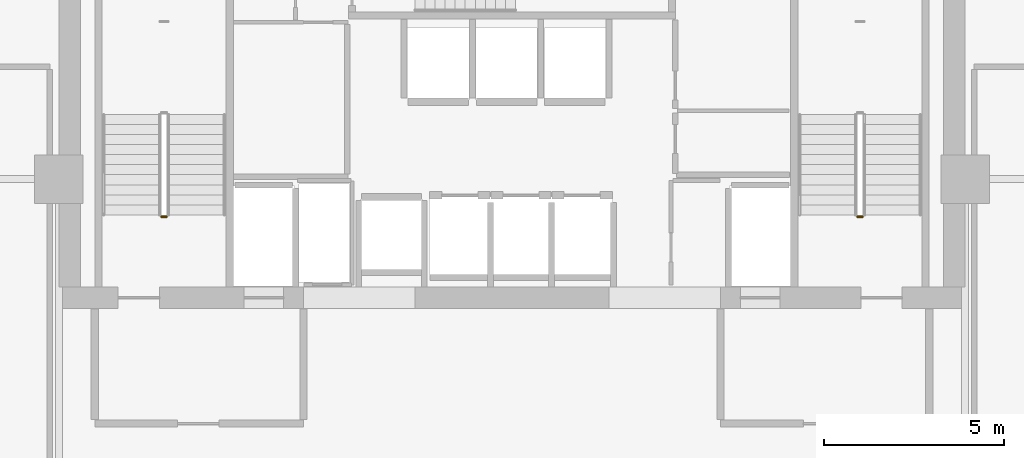
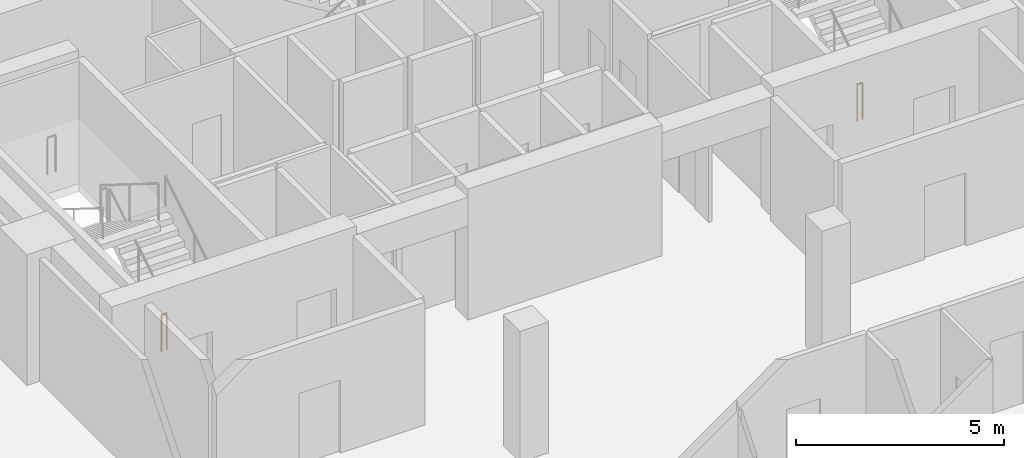
# One storey, part 22 of 24: 2 railings.
"""IFC4 building model written with IfcOpenShell, lengths in metres."""

from ifc_helpers import new_model, si_unit, direction, frame, origin, origin_2d, place, context, subcontext, project, spatial, circle, extrude, material, type_object, element, save


model = new_model("IFC4")

# Units and contexts
model_context = context("Model", 3, precision=1e-05, world=origin(), true_north=direction((0.0, 1.0)))
body_context = subcontext(model_context, "Body", "Model", "MODEL_VIEW")
ifc_project = project(units=[si_unit("LENGTHUNIT", "METRE"), si_unit("AREAUNIT", "SQUARE_METRE"), si_unit("VOLUMEUNIT", "CUBIC_METRE"), si_unit("PLANEANGLEUNIT", "RADIAN"), si_unit("MASSUNIT", "GRAM", prefix="KILO")], contexts=[model_context])

# Site, building, storey
site_placement = place(None, origin())
site = spatial("IfcSite", under=ifc_project, at=site_placement, CompositionType="ELEMENT")
building_placement = place(site_placement, origin())
building = spatial("IfcBuilding", under=site, at=building_placement, Name="Maruvema Waterfront Hotel and Observation Tower", CompositionType="ELEMENT")
storey_placement = place(building_placement, frame((0.0, 0.0, 333.550048828125)))
storey = spatial("IfcBuildingStorey", under=building, at=storey_placement, Name="L82", CompositionType="ELEMENT", Elevation=333.550048828125)

# Railings
ifc_material = material(Name="Brushed stainless steel Grade 316", Category="steel")
railing_type = type_object("IfcRailingType", Name="Ramp and Terrace Guard Balustrade 1100 mm", PredefinedType="BALUSTRADE", material=ifc_material)
railing_1_placement = place(storey_placement, frame((28.199951171875, 43.949951171875, 0.0)))
element("IfcRailing", 1, at=railing_1_placement, inside=storey, type_object=railing_type, Name="L82 ST-01 stair guard 4", PredefinedType="BALUSTRADE", context=body_context, shape_type="SweptSolid", body=[
    extrude(circle(Radius=0.02392578125, at=origin_2d()), frame((0.0, 0.0, 1.076171875), z_axis=(-1.0, 0.0, 0.0), x_axis=(0.0, -1.0, 0.0)), (0.0, 0.0, 1.0), 0.14990234375),
    extrude(circle(Radius=0.02099609375, at=origin_2d()), origin(), (0.0, 0.0, 1.0), 1.052001953125),
    extrude(circle(Radius=0.02099609375, at=origin_2d()), frame((-0.14990234375, 0.0, 0.0)), (0.0, 0.0, 1.0), 1.052001953125),
])
railing_2_placement = place(storey_placement, frame((47.550048828125, 43.949951171875, 0.0)))
element("IfcRailing", 2, at=railing_2_placement, inside=storey, type_object=railing_type, Name="L82 ST-03 stair guard 4", PredefinedType="BALUSTRADE", context=body_context, shape_type="SweptSolid", body=[
    extrude(circle(Radius=0.02392578125, at=origin_2d()), frame((0.0, 0.0, 1.076171875), z_axis=(-1.0, 0.0, 0.0), x_axis=(0.0, -1.0, 0.0)), (0.0, 0.0, 1.0), 0.150146484375),
    extrude(circle(Radius=0.02099609375, at=origin_2d()), origin(), (0.0, 0.0, 1.0), 1.052001953125),
    extrude(circle(Radius=0.02099609375, at=origin_2d()), frame((-0.150146484375, 0.0, 0.0)), (0.0, 0.0, 1.0), 1.052001953125),
])

save(model, "model.ifc")
